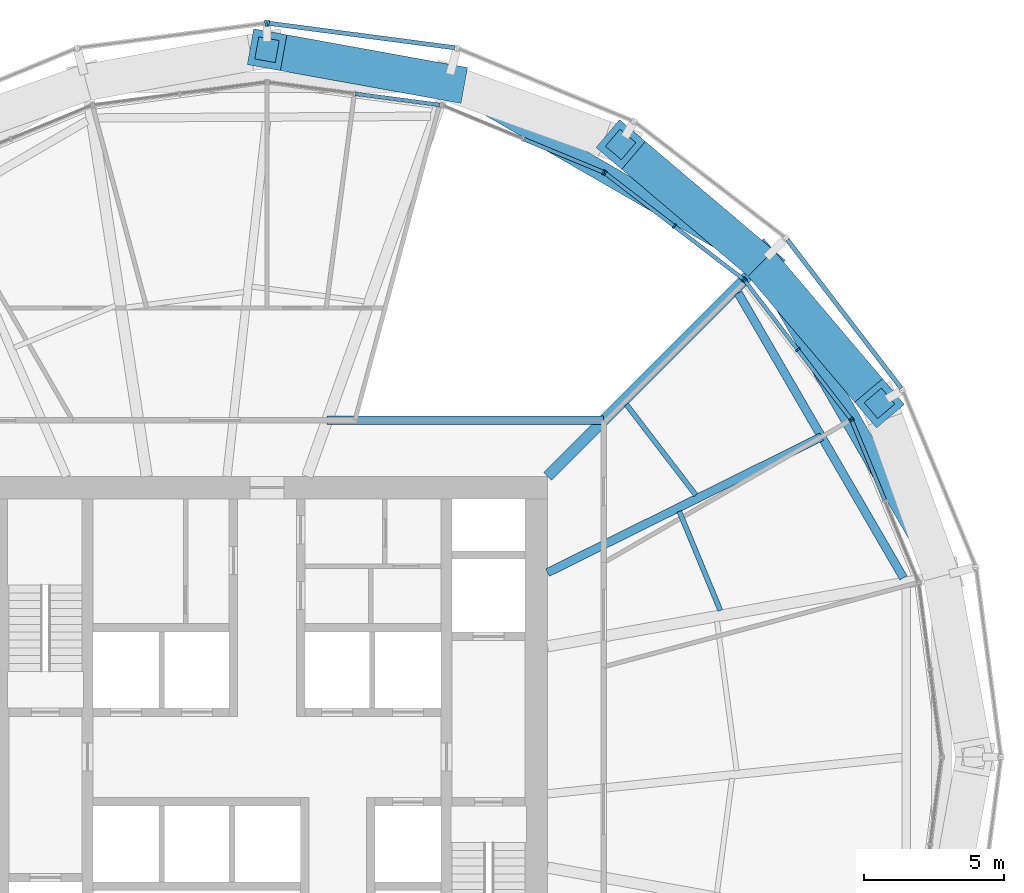
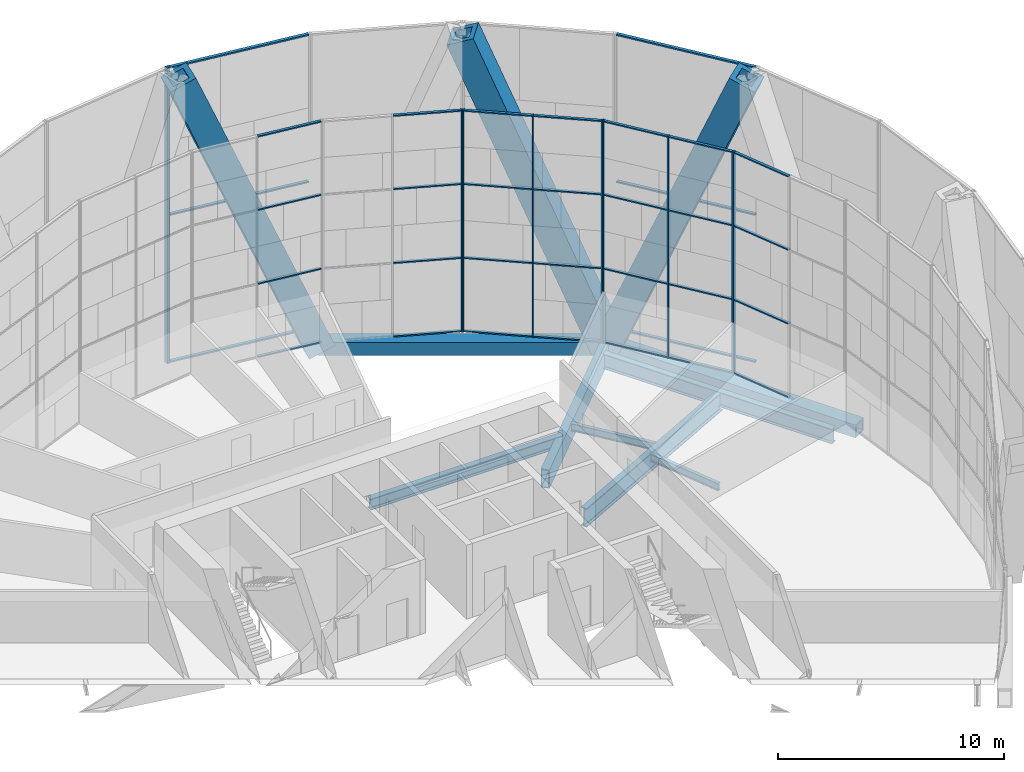
# One storey, part 9 of 26: 47 members, 8 beams, 8 elements without a shape of their own.
"""IFC4 building model written with IfcOpenShell, lengths in metres."""

from ifc_helpers import new_model, si_unit, direction, frame, origin, origin_2d, place, context, subcontext, project, spatial, rectangle, hollow_rectangle, i_section, extrude, material, material_profile, profile_set, type_object, element, aggregate, save


model = new_model("IFC4")

# Units and contexts
model_context = context("Model", 3, precision=1e-05, world=origin(), true_north=direction((0.0, 1.0)))
body_context = subcontext(model_context, "Body", "Model", "MODEL_VIEW")
ifc_project = project(units=[si_unit("LENGTHUNIT", "METRE"), si_unit("AREAUNIT", "SQUARE_METRE"), si_unit("VOLUMEUNIT", "CUBIC_METRE"), si_unit("PLANEANGLEUNIT", "RADIAN"), si_unit("MASSUNIT", "GRAM", prefix="KILO")], contexts=[model_context])

# Site, building, storey
site_placement = place(None, origin())
site = spatial("IfcSite", under=ifc_project, at=site_placement, CompositionType="ELEMENT")
building_placement = place(site_placement, origin())
building = spatial("IfcBuilding", under=site, at=building_placement, Name="Golbaran Civic Tower", CompositionType="ELEMENT")
storey_placement = place(building_placement, frame((0.0, 0.0, 69.0)))
storey = spatial("IfcBuildingStorey", under=building, at=storey_placement, Name="L16", CompositionType="ELEMENT", Elevation=69.0)

# Members
ifc_material_1 = material(Name="Steel S355", Category="steel")
ifc_material_profile_1 = material_profile(ifc_material_1, hollow_rectangle(XDim=1.300048828125, YDim=1.300048828125, WallThickness=0.25, at=origin_2d()), Name="BOX 1300x1300x250")
ifc_profile_set_1 = profile_set([ifc_material_profile_1], Name="Steel S355")
member_type_1 = type_object("IfcMemberType", Name="DIAGRID DIAGONAL BOX 1300x1300x250", PredefinedType="BRACE", material=ifc_profile_set_1)
for number, where, z_axis, x_axis, name in (
    (1, (17.6005859375, 17.6005859375, -0.7099609375), (-0.288939520875, 0.244835995768, 0.925510285439), (-0.646478657143, -0.762932071589, 0.0), "Diagonal D03-01R L16-L20"),
    (2, (17.6005859375, 17.6005859375, -0.7099609375), (0.244835995768, -0.288939520875, 0.925510285439), (0.762932071589, 0.646478657143, 0.0), "Diagonal D03-01L L16-L20"),
    (3, (6.4423828125, 24.04296875, -0.7099609375), (-0.372654606272, 0.067560240882, 0.925507513895), (-0.178386648531, -0.983960468528, 0.0), "Diagonal D03-02R L16-L20"),
):
    element("IfcMember", number, at=place(storey_placement, frame(where, z_axis=z_axis, x_axis=x_axis)), inside=storey, type_object=member_type_1, Name=name, PredefinedType="BRACE", context=body_context, shape_type="SweptSolid", body=[
        extrude(hollow_rectangle(XDim=1.300048828125, YDim=1.300048828125, WallThickness=0.25, at=origin_2d()), origin(), (0.0, 0.0, 1.0), 17.287841796875),
    ])

# Beams
ifc_material_profile_2 = material_profile(ifc_material_1, hollow_rectangle(XDim=0.699951171875, YDim=0.699951171875, WallThickness=0.080078125, at=origin_2d()), Name="BOX 700x700x80")
ifc_profile_set_2 = profile_set([ifc_material_profile_2], Name="Steel S355")
beam_type_1 = type_object("IfcBeamType", Name="DIAGRID RING TIE BOX 700x700x80", PredefinedType="BEAM", material=ifc_profile_set_2)
for number, where, z_axis, x_axis, name in (
    (4, (24.04296875, 6.4423828125, -0.7099609375), (-0.500011131643, 0.866018976832, 0.0), (-0.866018976832, -0.500011131643, 0.0), "Ring tie 15.00 L16"),
    (5, (17.6005859375, 17.6005859375, -0.7099609375), (-0.866018976832, 0.500011131643, 0.0), (-0.500011131643, -0.866018976832, 0.0), "Ring tie 45.00 L16"),
):
    element("IfcBeam", number, at=place(storey_placement, frame(where, z_axis=z_axis, x_axis=x_axis)), inside=storey, type_object=beam_type_1, Name=name, PredefinedType="BEAM", context=body_context, shape_type="SweptSolid", body=[
        extrude(hollow_rectangle(XDim=0.699951171875, YDim=0.699951171875, WallThickness=0.080078125, at=origin_2d()), origin(), (0.0, 0.0, 1.0), 12.884521484375),
    ])
ifc_material_profile_3 = material_profile(ifc_material_1, i_section(OverallWidth=0.300048828125, OverallDepth=0.800048828125, WebThickness=0.017578125, FlangeThickness=0.032958984375, FilletRadius=0.030029296875, at=origin_2d()), Name="HEB 800")
ifc_profile_set_3 = profile_set([ifc_material_profile_3], Name="Steel S355")
beam_type_2 = type_object("IfcBeamType", Name="EDGE BEAM HEB 800", PredefinedType="BEAM", material=ifc_profile_set_3)
beam_1_placement = place(storey_placement, frame((22.687744140625, 6.3837890625, -0.60009765625), z_axis=(-0.50199656433, 0.864869614104, 0.0), x_axis=(-0.864869614104, -0.50199656433, 0.0)))
element("IfcBeam", 6, at=beam_1_placement, inside=storey, type_object=beam_type_2, Name="Edge beam 15.00 L16", PredefinedType="BEAM", context=body_context, shape_type="SweptSolid", body=[
    extrude(i_section(OverallWidth=0.300048828125, OverallDepth=0.800048828125, WebThickness=0.017578125, FlangeThickness=0.032958984375, FilletRadius=0.030029296875, at=origin_2d()), origin(), (0.0, 0.0, 1.0), 11.74169921875),
])
ifc_material_profile_4 = material_profile(ifc_material_1, i_section(OverallWidth=0.179931640625, OverallDepth=0.39990234375, WebThickness=0.008544921875, FlangeThickness=0.013427734375, FilletRadius=0.02099609375, at=origin_2d()), Name="IPE 400")
ifc_profile_set_4 = profile_set([ifc_material_profile_4], Name="Steel S355")
beam_type_3 = type_object("IfcBeamType", Name="FLOOR INFILL BEAM IPE 400", PredefinedType="BEAM", material=ifc_profile_set_4)
beam_2_placement = place(storey_placement, frame((16.158935546875, 5.221923828125, -0.39990234375), z_axis=(-0.382660123613, 0.923889186968, 0.0), x_axis=(-0.923889186968, -0.382660123613, 0.0)))
element("IfcBeam", 7, at=beam_2_placement, inside=storey, type_object=beam_type_3, Name="Infill beam 22.50 L16", PredefinedType="BEAM", context=body_context, shape_type="SweptSolid", body=[
    extrude(i_section(OverallWidth=0.179931640625, OverallDepth=0.39990234375, WebThickness=0.008544921875, FlangeThickness=0.013427734375, FilletRadius=0.02099609375, at=origin_2d()), origin(), (0.0, 0.0, 1.0), 3.822998046875),
])
beam_3_placement = place(storey_placement, frame((15.28564453125, 9.33642578125, -0.39990234375), z_axis=(-0.608754558613, 0.793358612084, 0.0), x_axis=(-0.793358612084, -0.608754558613, 0.0)))
element("IfcBeam", 8, at=beam_3_placement, inside=storey, type_object=beam_type_3, Name="Infill beam 37.50 L16", PredefinedType="BEAM", context=body_context, shape_type="SweptSolid", body=[
    extrude(i_section(OverallWidth=0.179931640625, OverallDepth=0.39990234375, WebThickness=0.008544921875, FlangeThickness=0.013427734375, FilletRadius=0.02099609375, at=origin_2d()), origin(), (0.0, 0.0, 1.0), 4.0615234375),
])
ifc_material_profile_5 = material_profile(ifc_material_1, i_section(OverallWidth=0.300048828125, OverallDepth=0.60009765625, WebThickness=0.015380859375, FlangeThickness=0.030029296875, FilletRadius=0.027099609375, at=origin_2d()), Name="HEB 600")
ifc_profile_set_5 = profile_set([ifc_material_profile_5], Name="Steel S355")
beam_type_4 = type_object("IfcBeamType", Name="GARDEN CHORD TRIMMER HEB 600", PredefinedType="BEAM", material=ifc_profile_set_5)
beam_4_placement = place(storey_placement, frame((12.0, 12.0, -0.5), z_axis=(-1.0, 0.0, 0.0), x_axis=(0.0, -1.0, 0.0)))
element("IfcBeam", 9, at=beam_4_placement, inside=storey, type_object=beam_type_4, Name="Garden void trimmer L16", PredefinedType="BEAM", context=body_context, shape_type="SweptSolid", body=[
    extrude(i_section(OverallWidth=0.300048828125, OverallDepth=0.60009765625, WebThickness=0.015380859375, FlangeThickness=0.030029296875, FilletRadius=0.027099609375, at=origin_2d()), origin(), (0.0, 0.0, 1.0), 9.857421875),
])

# Curtain wall, member
ifc_material_2 = material(Name="Aluminium and glass", Category="aluminium")
curtain_wall_type_1 = type_object("IfcCurtainWallType", Name="INNER SKIN CURTAIN WALL", PredefinedType="NOTDEFINED", material=ifc_material_2)
curtain_wall_1_placement = place(storey_placement, origin())
curtain_wall_1 = element("IfcCurtainWall", 10, at=curtain_wall_1_placement, inside=storey, type_object=curtain_wall_type_1, Name="Inner skin L16 facet 2 CW1", ObjectType="INNER SKIN", PredefinedType="USERDEFINED")
ifc_material_3 = material(Name="Aluminium", Category="aluminium")
ifc_material_profile_6 = material_profile(ifc_material_3, rectangle(XDim=0.179931640625, YDim=0.06494140625, at=origin_2d()), Name="INNER SKIN CURTAIN WALL MULLION")
ifc_profile_set_6 = profile_set([ifc_material_profile_6], Name="Aluminium")
member_type_2 = type_object("IfcMemberType", Name="INNER SKIN CURTAIN WALL MULLION", PredefinedType="MULLION", material=ifc_profile_set_6)
member_1_placement = place(storey_placement, frame((20.843017578125, 11.99658203125, 0.0), z_axis=(0.0, 0.0, 1.0), x_axis=(-0.923879532478, -0.382683432446, 0.0)))
member_1 = element("IfcMember", 11, at=member_1_placement, type_object=member_type_2, Name="CW1 mullion 3", PredefinedType="MULLION", context=body_context, shape_type="SweptSolid", body=[
    extrude(rectangle(XDim=0.179931640625, YDim=0.06494140625, at=origin_2d()), origin(), (0.0, 0.0, 1.0), 12.0),
])

# Curtain wall, members
curtain_wall_2_placement = place(storey_placement, origin())
curtain_wall_2 = element("IfcCurtainWall", 12, at=curtain_wall_2_placement, inside=storey, type_object=curtain_wall_type_1, Name="Inner skin L16 facet 3 CW1", ObjectType="INNER SKIN", PredefinedType="USERDEFINED")
member_2_placement = place(storey_placement, frame((20.810791015625, 12.05224609375, 0.0), z_axis=(0.0, 0.0, 1.0), x_axis=(-0.793353340323, -0.608761428967, 0.0)))
member_2 = element("IfcMember", 13, at=member_2_placement, type_object=member_type_2, Name="CW1 mullion 1", PredefinedType="MULLION", context=body_context, shape_type="SweptSolid", body=[
    extrude(rectangle(XDim=0.179931640625, YDim=0.06494140625, at=origin_2d()), origin(), (0.0, 0.0, 1.0), 12.0),
])
member_3_placement = place(storey_placement, frame((18.919189453125, 14.517333984375, 0.0), z_axis=(0.0, 0.0, 1.0), x_axis=(-0.793353340323, -0.608761428967, 0.0)))
member_3 = element("IfcMember", 14, at=member_3_placement, type_object=member_type_2, Name="CW1 mullion 2", PredefinedType="MULLION", context=body_context, shape_type="SweptSolid", body=[
    extrude(rectangle(XDim=0.179931640625, YDim=0.06494140625, at=origin_2d()), origin(), (0.0, 0.0, 1.0), 12.0),
])
member_4_placement = place(storey_placement, frame((17.02783203125, 16.982177734375, 0.0), z_axis=(0.0, 0.0, 1.0), x_axis=(-0.793353340323, -0.608761428967, 0.0)))
member_4 = element("IfcMember", 15, at=member_4_placement, type_object=member_type_2, Name="CW1 mullion 3", PredefinedType="MULLION", context=body_context, shape_type="SweptSolid", body=[
    extrude(rectangle(XDim=0.179931640625, YDim=0.06494140625, at=origin_2d()), origin(), (0.0, 0.0, 1.0), 12.0),
])

curtain_wall_3_placement = place(storey_placement, origin())
curtain_wall_3 = element("IfcCurtainWall", 16, at=curtain_wall_3_placement, inside=storey, type_object=curtain_wall_type_1, Name="Inner skin L16 facet 4 CW1", ObjectType="INNER SKIN", PredefinedType="USERDEFINED")
member_5_placement = place(storey_placement, frame((16.982177734375, 17.02783203125, 0.0), z_axis=(0.0, 0.0, 1.0), x_axis=(-0.608761428967, -0.793353340323, 0.0)))
member_5 = element("IfcMember", 17, at=member_5_placement, type_object=member_type_2, Name="CW1 mullion 1", PredefinedType="MULLION", context=body_context, shape_type="SweptSolid", body=[
    extrude(rectangle(XDim=0.179931640625, YDim=0.06494140625, at=origin_2d()), origin(), (0.0, 0.0, 1.0), 12.0),
])
member_6_placement = place(storey_placement, frame((14.517333984375, 18.919189453125, 0.0), z_axis=(0.0, 0.0, 1.0), x_axis=(-0.608761428967, -0.793353340323, 0.0)))
member_6 = element("IfcMember", 18, at=member_6_placement, type_object=member_type_2, Name="CW1 mullion 2", PredefinedType="MULLION", context=body_context, shape_type="SweptSolid", body=[
    extrude(rectangle(XDim=0.179931640625, YDim=0.06494140625, at=origin_2d()), origin(), (0.0, 0.0, 1.0), 12.0),
])
member_7_placement = place(storey_placement, frame((12.05224609375, 20.810791015625, 0.0), z_axis=(0.0, 0.0, 1.0), x_axis=(-0.608761428967, -0.793353340323, 0.0)))
member_7 = element("IfcMember", 19, at=member_7_placement, type_object=member_type_2, Name="CW1 mullion 3", PredefinedType="MULLION", context=body_context, shape_type="SweptSolid", body=[
    extrude(rectangle(XDim=0.179931640625, YDim=0.06494140625, at=origin_2d()), origin(), (0.0, 0.0, 1.0), 12.0),
])

# Curtain wall, member
curtain_wall_4_placement = place(storey_placement, origin())
curtain_wall_4 = element("IfcCurtainWall", 20, at=curtain_wall_4_placement, inside=storey, type_object=curtain_wall_type_1, Name="Inner skin L16 facet 5 CW1", ObjectType="INNER SKIN", PredefinedType="USERDEFINED")
member_8_placement = place(storey_placement, frame((11.99658203125, 20.843017578125, 0.0), z_axis=(0.0, 0.0, 1.0), x_axis=(-0.382683432446, -0.923879532478, 0.0)))
member_8 = element("IfcMember", 21, at=member_8_placement, type_object=member_type_2, Name="CW1 mullion 1", PredefinedType="MULLION", context=body_context, shape_type="SweptSolid", body=[
    extrude(rectangle(XDim=0.179931640625, YDim=0.06494140625, at=origin_2d()), origin(), (0.0, 0.0, 1.0), 12.0),
])

# Member
ifc_material_profile_7 = material_profile(ifc_material_3, rectangle(XDim=0.139892578125, YDim=0.06494140625, at=origin_2d()), Name="INNER SKIN CURTAIN WALL TRANSOM")
ifc_profile_set_7 = profile_set([ifc_material_profile_7], Name="Aluminium")
member_type_3 = type_object("IfcMemberType", Name="INNER SKIN CURTAIN WALL TRANSOM", PredefinedType="USERDEFINED", material=ifc_profile_set_7)
member_9_placement = place(storey_placement, frame((22.01953125, 9.156005859375, 0.032470703125), z_axis=(-0.382654214168, 0.923891634543, 0.0), x_axis=(-0.923891634543, -0.382654214168, 0.0)))
member_9 = element("IfcMember", 22, at=member_9_placement, type_object=member_type_3, Name="CW1 transom 2.1", ObjectType="TRANSOM", PredefinedType="USERDEFINED", context=body_context, shape_type="SweptSolid", body=[
    extrude(rectangle(XDim=0.139892578125, YDim=0.06494140625, at=origin_2d()), origin(), (0.0, 0.0, 1.0), 3.0419921875),
])

member_10_placement = place(storey_placement, frame((22.01953125, 9.156005859375, 4.0), z_axis=(-0.382654214168, 0.923891634543, 0.0), x_axis=(-0.923891634543, -0.382654214168, 0.0)))
member_10 = element("IfcMember", 23, at=member_10_placement, type_object=member_type_3, Name="CW1 transom 2.2", ObjectType="TRANSOM", PredefinedType="USERDEFINED", context=body_context, shape_type="SweptSolid", body=[
    extrude(rectangle(XDim=0.139892578125, YDim=0.06494140625, at=origin_2d()), origin(), (0.0, 0.0, 1.0), 3.0419921875),
])

member_11_placement = place(storey_placement, frame((22.01953125, 9.156005859375, 8.0), z_axis=(-0.382654214168, 0.923891634543, 0.0), x_axis=(-0.923891634543, -0.382654214168, 0.0)))
member_11 = element("IfcMember", 24, at=member_11_placement, type_object=member_type_3, Name="CW1 transom 2.3", ObjectType="TRANSOM", PredefinedType="USERDEFINED", context=body_context, shape_type="SweptSolid", body=[
    extrude(rectangle(XDim=0.139892578125, YDim=0.06494140625, at=origin_2d()), origin(), (0.0, 0.0, 1.0), 3.0419921875),
])

member_12_placement = place(storey_placement, frame((22.01953125, 9.156005859375, 11.967529296875), z_axis=(-0.382654214168, 0.923891634543, 0.0), x_axis=(-0.923891634543, -0.382654214168, 0.0)))
member_12 = element("IfcMember", 25, at=member_12_placement, type_object=member_type_3, Name="CW1 transom 2.4", ObjectType="TRANSOM", PredefinedType="USERDEFINED", context=body_context, shape_type="SweptSolid", body=[
    extrude(rectangle(XDim=0.139892578125, YDim=0.06494140625, at=origin_2d()), origin(), (0.0, 0.0, 1.0), 3.0419921875),
])

aggregate(curtain_wall_1, [member_1, member_9, member_10, member_11, member_12])

member_13_placement = place(storey_placement, frame((20.791015625, 12.078125, 0.032470703125), z_axis=(-0.608810562982, 0.79331563605, 0.0), x_axis=(-0.79331563605, -0.608810562982, 0.0)))
member_13 = element("IfcMember", 26, at=member_13_placement, type_object=member_type_3, Name="CW1 transom 1.1", ObjectType="TRANSOM", PredefinedType="USERDEFINED", context=body_context, shape_type="SweptSolid", body=[
    extrude(rectangle(XDim=0.139892578125, YDim=0.06494140625, at=origin_2d()), origin(), (0.0, 0.0, 1.0), 3.0419921875),
])

member_14_placement = place(storey_placement, frame((20.791015625, 12.078125, 4.0), z_axis=(-0.608810562982, 0.79331563605, 0.0), x_axis=(-0.79331563605, -0.608810562982, 0.0)))
member_14 = element("IfcMember", 27, at=member_14_placement, type_object=member_type_3, Name="CW1 transom 1.2", ObjectType="TRANSOM", PredefinedType="USERDEFINED", context=body_context, shape_type="SweptSolid", body=[
    extrude(rectangle(XDim=0.139892578125, YDim=0.06494140625, at=origin_2d()), origin(), (0.0, 0.0, 1.0), 3.0419921875),
])

member_15_placement = place(storey_placement, frame((20.791015625, 12.078125, 8.0), z_axis=(-0.608810562982, 0.79331563605, 0.0), x_axis=(-0.79331563605, -0.608810562982, 0.0)))
member_15 = element("IfcMember", 28, at=member_15_placement, type_object=member_type_3, Name="CW1 transom 1.3", ObjectType="TRANSOM", PredefinedType="USERDEFINED", context=body_context, shape_type="SweptSolid", body=[
    extrude(rectangle(XDim=0.139892578125, YDim=0.06494140625, at=origin_2d()), origin(), (0.0, 0.0, 1.0), 3.0419921875),
])

member_16_placement = place(storey_placement, frame((20.791015625, 12.078125, 11.967529296875), z_axis=(-0.608810562982, 0.79331563605, 0.0), x_axis=(-0.79331563605, -0.608810562982, 0.0)))
member_16 = element("IfcMember", 29, at=member_16_placement, type_object=member_type_3, Name="CW1 transom 1.4", ObjectType="TRANSOM", PredefinedType="USERDEFINED", context=body_context, shape_type="SweptSolid", body=[
    extrude(rectangle(XDim=0.139892578125, YDim=0.06494140625, at=origin_2d()), origin(), (0.0, 0.0, 1.0), 3.0419921875),
])

member_17_placement = place(storey_placement, frame((18.8994140625, 14.54296875, 0.032470703125), z_axis=(-0.608721291082, 0.793384137592, 0.0), x_axis=(-0.793384137592, -0.608721291082, 0.0)))
member_17 = element("IfcMember", 30, at=member_17_placement, type_object=member_type_3, Name="CW1 transom 2.1", ObjectType="TRANSOM", PredefinedType="USERDEFINED", context=body_context, shape_type="SweptSolid", body=[
    extrude(rectangle(XDim=0.139892578125, YDim=0.06494140625, at=origin_2d()), origin(), (0.0, 0.0, 1.0), 3.042236328125),
])

member_18_placement = place(storey_placement, frame((18.8994140625, 14.54296875, 4.0), z_axis=(-0.608721291082, 0.793384137592, 0.0), x_axis=(-0.793384137592, -0.608721291082, 0.0)))
member_18 = element("IfcMember", 31, at=member_18_placement, type_object=member_type_3, Name="CW1 transom 2.2", ObjectType="TRANSOM", PredefinedType="USERDEFINED", context=body_context, shape_type="SweptSolid", body=[
    extrude(rectangle(XDim=0.139892578125, YDim=0.06494140625, at=origin_2d()), origin(), (0.0, 0.0, 1.0), 3.042236328125),
])

member_19_placement = place(storey_placement, frame((18.8994140625, 14.54296875, 8.0), z_axis=(-0.608721291082, 0.793384137592, 0.0), x_axis=(-0.793384137592, -0.608721291082, 0.0)))
member_19 = element("IfcMember", 32, at=member_19_placement, type_object=member_type_3, Name="CW1 transom 2.3", ObjectType="TRANSOM", PredefinedType="USERDEFINED", context=body_context, shape_type="SweptSolid", body=[
    extrude(rectangle(XDim=0.139892578125, YDim=0.06494140625, at=origin_2d()), origin(), (0.0, 0.0, 1.0), 3.042236328125),
])

member_20_placement = place(storey_placement, frame((18.8994140625, 14.54296875, 11.967529296875), z_axis=(-0.608721291082, 0.793384137592, 0.0), x_axis=(-0.793384137592, -0.608721291082, 0.0)))
member_20 = element("IfcMember", 33, at=member_20_placement, type_object=member_type_3, Name="CW1 transom 2.4", ObjectType="TRANSOM", PredefinedType="USERDEFINED", context=body_context, shape_type="SweptSolid", body=[
    extrude(rectangle(XDim=0.139892578125, YDim=0.06494140625, at=origin_2d()), origin(), (0.0, 0.0, 1.0), 3.042236328125),
])

aggregate(curtain_wall_2, [member_2, member_3, member_4, member_13, member_14, member_15, member_16, member_17, member_18, member_19, member_20])

member_21_placement = place(storey_placement, frame((16.95654296875, 17.047607421875, 0.032470703125), z_axis=(-0.793384137592, 0.608721291082, 0.0), x_axis=(-0.608721291082, -0.793384137592, 0.0)))
member_21 = element("IfcMember", 34, at=member_21_placement, type_object=member_type_3, Name="CW1 transom 1.1", ObjectType="TRANSOM", PredefinedType="USERDEFINED", context=body_context, shape_type="SweptSolid", body=[
    extrude(rectangle(XDim=0.139892578125, YDim=0.06494140625, at=origin_2d()), origin(), (0.0, 0.0, 1.0), 3.042236328125),
])

member_22_placement = place(storey_placement, frame((16.95654296875, 17.047607421875, 4.0), z_axis=(-0.793384137592, 0.608721291082, 0.0), x_axis=(-0.608721291082, -0.793384137592, 0.0)))
member_22 = element("IfcMember", 35, at=member_22_placement, type_object=member_type_3, Name="CW1 transom 1.2", ObjectType="TRANSOM", PredefinedType="USERDEFINED", context=body_context, shape_type="SweptSolid", body=[
    extrude(rectangle(XDim=0.139892578125, YDim=0.06494140625, at=origin_2d()), origin(), (0.0, 0.0, 1.0), 3.042236328125),
])

member_23_placement = place(storey_placement, frame((16.95654296875, 17.047607421875, 8.0), z_axis=(-0.793384137592, 0.608721291082, 0.0), x_axis=(-0.608721291082, -0.793384137592, 0.0)))
member_23 = element("IfcMember", 36, at=member_23_placement, type_object=member_type_3, Name="CW1 transom 1.3", ObjectType="TRANSOM", PredefinedType="USERDEFINED", context=body_context, shape_type="SweptSolid", body=[
    extrude(rectangle(XDim=0.139892578125, YDim=0.06494140625, at=origin_2d()), origin(), (0.0, 0.0, 1.0), 3.042236328125),
])

member_24_placement = place(storey_placement, frame((16.95654296875, 17.047607421875, 11.967529296875), z_axis=(-0.793384137592, 0.608721291082, 0.0), x_axis=(-0.608721291082, -0.793384137592, 0.0)))
member_24 = element("IfcMember", 37, at=member_24_placement, type_object=member_type_3, Name="CW1 transom 1.4", ObjectType="TRANSOM", PredefinedType="USERDEFINED", context=body_context, shape_type="SweptSolid", body=[
    extrude(rectangle(XDim=0.139892578125, YDim=0.06494140625, at=origin_2d()), origin(), (0.0, 0.0, 1.0), 3.042236328125),
])

member_25_placement = place(storey_placement, frame((14.491455078125, 18.93896484375, 0.032470703125), z_axis=(-0.79331563605, 0.608810562982, 0.0), x_axis=(-0.608810562982, -0.79331563605, 0.0)))
member_25 = element("IfcMember", 38, at=member_25_placement, type_object=member_type_3, Name="CW1 transom 2.1", ObjectType="TRANSOM", PredefinedType="USERDEFINED", context=body_context, shape_type="SweptSolid", body=[
    extrude(rectangle(XDim=0.139892578125, YDim=0.06494140625, at=origin_2d()), origin(), (0.0, 0.0, 1.0), 3.0419921875),
])

member_26_placement = place(storey_placement, frame((14.491455078125, 18.93896484375, 4.0), z_axis=(-0.79331563605, 0.608810562982, 0.0), x_axis=(-0.608810562982, -0.79331563605, 0.0)))
member_26 = element("IfcMember", 39, at=member_26_placement, type_object=member_type_3, Name="CW1 transom 2.2", ObjectType="TRANSOM", PredefinedType="USERDEFINED", context=body_context, shape_type="SweptSolid", body=[
    extrude(rectangle(XDim=0.139892578125, YDim=0.06494140625, at=origin_2d()), origin(), (0.0, 0.0, 1.0), 3.0419921875),
])

member_27_placement = place(storey_placement, frame((14.491455078125, 18.93896484375, 8.0), z_axis=(-0.79331563605, 0.608810562982, 0.0), x_axis=(-0.608810562982, -0.79331563605, 0.0)))
member_27 = element("IfcMember", 40, at=member_27_placement, type_object=member_type_3, Name="CW1 transom 2.3", ObjectType="TRANSOM", PredefinedType="USERDEFINED", context=body_context, shape_type="SweptSolid", body=[
    extrude(rectangle(XDim=0.139892578125, YDim=0.06494140625, at=origin_2d()), origin(), (0.0, 0.0, 1.0), 3.0419921875),
])

member_28_placement = place(storey_placement, frame((14.491455078125, 18.93896484375, 11.967529296875), z_axis=(-0.79331563605, 0.608810562982, 0.0), x_axis=(-0.608810562982, -0.79331563605, 0.0)))
member_28 = element("IfcMember", 41, at=member_28_placement, type_object=member_type_3, Name="CW1 transom 2.4", ObjectType="TRANSOM", PredefinedType="USERDEFINED", context=body_context, shape_type="SweptSolid", body=[
    extrude(rectangle(XDim=0.139892578125, YDim=0.06494140625, at=origin_2d()), origin(), (0.0, 0.0, 1.0), 3.0419921875),
])

aggregate(curtain_wall_3, [member_5, member_6, member_7, member_21, member_22, member_23, member_24, member_25, member_26, member_27, member_28])

member_29_placement = place(storey_placement, frame((11.966552734375, 20.85546875, 0.032470703125), z_axis=(-0.923891634543, 0.382654214168, 0.0), x_axis=(-0.382654214168, -0.923891634543, 0.0)))
member_29 = element("IfcMember", 42, at=member_29_placement, type_object=member_type_3, Name="CW1 transom 1.1", ObjectType="TRANSOM", PredefinedType="USERDEFINED", context=body_context, shape_type="SweptSolid", body=[
    extrude(rectangle(XDim=0.139892578125, YDim=0.06494140625, at=origin_2d()), origin(), (0.0, 0.0, 1.0), 3.0419921875),
])

member_30_placement = place(storey_placement, frame((11.966552734375, 20.85546875, 4.0), z_axis=(-0.923891634543, 0.382654214168, 0.0), x_axis=(-0.382654214168, -0.923891634543, 0.0)))
member_30 = element("IfcMember", 43, at=member_30_placement, type_object=member_type_3, Name="CW1 transom 1.2", ObjectType="TRANSOM", PredefinedType="USERDEFINED", context=body_context, shape_type="SweptSolid", body=[
    extrude(rectangle(XDim=0.139892578125, YDim=0.06494140625, at=origin_2d()), origin(), (0.0, 0.0, 1.0), 3.0419921875),
])

member_31_placement = place(storey_placement, frame((11.966552734375, 20.85546875, 8.0), z_axis=(-0.923891634543, 0.382654214168, 0.0), x_axis=(-0.382654214168, -0.923891634543, 0.0)))
member_31 = element("IfcMember", 44, at=member_31_placement, type_object=member_type_3, Name="CW1 transom 1.3", ObjectType="TRANSOM", PredefinedType="USERDEFINED", context=body_context, shape_type="SweptSolid", body=[
    extrude(rectangle(XDim=0.139892578125, YDim=0.06494140625, at=origin_2d()), origin(), (0.0, 0.0, 1.0), 3.0419921875),
])

member_32_placement = place(storey_placement, frame((11.966552734375, 20.85546875, 11.967529296875), z_axis=(-0.923891634543, 0.382654214168, 0.0), x_axis=(-0.382654214168, -0.923891634543, 0.0)))
member_32 = element("IfcMember", 45, at=member_32_placement, type_object=member_type_3, Name="CW1 transom 1.4", ObjectType="TRANSOM", PredefinedType="USERDEFINED", context=body_context, shape_type="SweptSolid", body=[
    extrude(rectangle(XDim=0.139892578125, YDim=0.06494140625, at=origin_2d()), origin(), (0.0, 0.0, 1.0), 3.0419921875),
])

aggregate(curtain_wall_4, [member_8, member_29, member_30, member_31, member_32])

# Curtain wall, members
curtain_wall_5_placement = place(storey_placement, origin())
curtain_wall_5 = element("IfcCurtainWall", 46, at=curtain_wall_5_placement, inside=storey, type_object=curtain_wall_type_1, Name="Inner skin L16 facet 6 CW1", ObjectType="INNER SKIN", PredefinedType="USERDEFINED")
member_33_placement = place(storey_placement, frame((6.160888671875, 23.241943359375, 0.032470703125), z_axis=(-0.991448011299, 0.130502263934, 0.0), x_axis=(-0.130502263934, -0.991448011299, 0.0)))
member_33 = element("IfcMember", 47, at=member_33_placement, type_object=member_type_3, Name="CW1 transom 1.1", ObjectType="TRANSOM", PredefinedType="USERDEFINED", context=body_context, shape_type="SweptSolid", body=[
    extrude(rectangle(XDim=0.139892578125, YDim=0.06494140625, at=origin_2d()), origin(), (0.0, 0.0, 1.0), 3.0419921875),
])
member_34_placement = place(storey_placement, frame((6.160888671875, 23.241943359375, 4.0), z_axis=(-0.991448011299, 0.130502263934, 0.0), x_axis=(-0.130502263934, -0.991448011299, 0.0)))
member_34 = element("IfcMember", 48, at=member_34_placement, type_object=member_type_3, Name="CW1 transom 1.2", ObjectType="TRANSOM", PredefinedType="USERDEFINED", context=body_context, shape_type="SweptSolid", body=[
    extrude(rectangle(XDim=0.139892578125, YDim=0.06494140625, at=origin_2d()), origin(), (0.0, 0.0, 1.0), 3.0419921875),
])
member_35_placement = place(storey_placement, frame((6.160888671875, 23.241943359375, 8.0), z_axis=(-0.991448011299, 0.130502263934, 0.0), x_axis=(-0.130502263934, -0.991448011299, 0.0)))
member_35 = element("IfcMember", 49, at=member_35_placement, type_object=member_type_3, Name="CW1 transom 1.3", ObjectType="TRANSOM", PredefinedType="USERDEFINED", context=body_context, shape_type="SweptSolid", body=[
    extrude(rectangle(XDim=0.139892578125, YDim=0.06494140625, at=origin_2d()), origin(), (0.0, 0.0, 1.0), 3.0419921875),
])
member_36_placement = place(storey_placement, frame((6.160888671875, 23.241943359375, 11.967529296875), z_axis=(-0.991448011299, 0.130502263934, 0.0), x_axis=(-0.130502263934, -0.991448011299, 0.0)))
member_36 = element("IfcMember", 50, at=member_36_placement, type_object=member_type_3, Name="CW1 transom 1.4", ObjectType="TRANSOM", PredefinedType="USERDEFINED", context=body_context, shape_type="SweptSolid", body=[
    extrude(rectangle(XDim=0.139892578125, YDim=0.06494140625, at=origin_2d()), origin(), (0.0, 0.0, 1.0), 3.0419921875),
])
aggregate(curtain_wall_5, [member_33, member_34, member_35, member_36])

# Curtain wall, member
curtain_wall_type_2 = type_object("IfcCurtainWallType", Name="OUTER SKIN TERRACOTTA SCREEN", PredefinedType="NOTDEFINED", material=ifc_material_2)
curtain_wall_6_placement = place(storey_placement, origin())
curtain_wall_6 = element("IfcCurtainWall", 51, at=curtain_wall_6_placement, inside=storey, type_object=curtain_wall_type_2, Name="Outer skin L16 facet 6 CW3", ObjectType="OUTER SKIN", PredefinedType="USERDEFINED")
ifc_material_profile_8 = material_profile(ifc_material_3, rectangle(XDim=0.219970703125, YDim=0.080078125, at=origin_2d()), Name="OUTER SKIN TERRACOTTA SCREEN MULLION")
ifc_profile_set_8 = profile_set([ifc_material_profile_8], Name="Aluminium")
member_type_4 = type_object("IfcMemberType", Name="OUTER SKIN TERRACOTTA SCREEN MULLION", PredefinedType="MULLION", material=ifc_profile_set_8)
member_37_placement = place(storey_placement, frame((0.03955078125, 26.15576171875, -0.7099609375), z_axis=(0.0, 0.0, 1.0), x_axis=(-0.130526192151, -0.991444861383, 0.0)))
member_37 = element("IfcMember", 52, at=member_37_placement, type_object=member_type_4, Name="CW3 mullion 2", PredefinedType="MULLION", context=body_context, shape_type="SweptSolid", body=[
    extrude(rectangle(XDim=0.219970703125, YDim=0.080078125, at=origin_2d()), origin(), (0.0, 0.0, 1.0), 16.0),
])

curtain_wall_7_placement = place(storey_placement, origin())
curtain_wall_7 = element("IfcCurtainWall", 53, at=curtain_wall_7_placement, inside=storey, type_object=curtain_wall_type_2, Name="Outer skin L16 facet 7 CW3", ObjectType="OUTER SKIN", PredefinedType="USERDEFINED")
member_38_placement = place(storey_placement, frame((-0.03955078125, 26.15576171875, -0.7099609375), z_axis=(0.0, 0.0, 1.0), x_axis=(0.130526192151, -0.991444861383, 0.0)))
member_38 = element("IfcMember", 54, at=member_38_placement, type_object=member_type_4, Name="CW3 mullion 1", PredefinedType="MULLION", context=body_context, shape_type="SweptSolid", body=[
    extrude(rectangle(XDim=0.219970703125, YDim=0.080078125, at=origin_2d()), origin(), (0.0, 0.0, 1.0), 16.0),
])
aggregate(curtain_wall_7, [member_38])

# Curtain wall, members
curtain_wall_8_placement = place(storey_placement, origin())
curtain_wall_8 = element("IfcCurtainWall", 55, at=curtain_wall_8_placement, inside=storey, type_object=curtain_wall_type_2, Name="Outer skin L16 facet 3 CW3", ObjectType="OUTER SKIN", PredefinedType="USERDEFINED")
ifc_material_profile_9 = material_profile(ifc_material_3, rectangle(XDim=0.159912109375, YDim=0.080078125, at=origin_2d()), Name="OUTER SKIN TERRACOTTA SCREEN TRANSOM")
ifc_profile_set_9 = profile_set([ifc_material_profile_9], Name="Aluminium")
member_type_5 = type_object("IfcMemberType", Name="OUTER SKIN TERRACOTTA SCREEN TRANSOM", PredefinedType="USERDEFINED", material=ifc_profile_set_9)
member_39_placement = place(storey_placement, frame((22.607421875, 13.14404296875, -0.669921875), z_axis=(-0.608772707765, 0.79334468567, 0.0), x_axis=(-0.79334468567, -0.608772707765, 0.0)))
member_39 = element("IfcMember", 56, at=member_39_placement, type_object=member_type_5, Name="CW3 transom 1.1", ObjectType="TRANSOM", PredefinedType="USERDEFINED", context=body_context, shape_type="SweptSolid", body=[
    extrude(rectangle(XDim=0.159912109375, YDim=0.080078125, at=origin_2d()), origin(), (0.0, 0.0, 1.0), 6.669189453125),
])
member_40_placement = place(storey_placement, frame((22.607421875, 13.14404296875, 7.2900390625), z_axis=(-0.608772707765, 0.79334468567, 0.0), x_axis=(-0.79334468567, -0.608772707765, 0.0)))
member_40 = element("IfcMember", 57, at=member_40_placement, type_object=member_type_5, Name="CW3 transom 1.2", ObjectType="TRANSOM", PredefinedType="USERDEFINED", context=body_context, shape_type="SweptSolid", body=[
    extrude(rectangle(XDim=0.159912109375, YDim=0.080078125, at=origin_2d()), origin(), (0.0, 0.0, 1.0), 6.669189453125),
])
member_41_placement = place(storey_placement, frame((22.607421875, 13.14404296875, 15.25), z_axis=(-0.608772707765, 0.79334468567, 0.0), x_axis=(-0.79334468567, -0.608772707765, 0.0)))
member_41 = element("IfcMember", 58, at=member_41_placement, type_object=member_type_5, Name="CW3 transom 1.3", ObjectType="TRANSOM", PredefinedType="USERDEFINED", context=body_context, shape_type="SweptSolid", body=[
    extrude(rectangle(XDim=0.159912109375, YDim=0.080078125, at=origin_2d()), origin(), (0.0, 0.0, 1.0), 6.669189453125),
])
aggregate(curtain_wall_8, [member_39, member_40, member_41])

# Member
member_42_placement = place(storey_placement, frame((6.691650390625, 25.280029296875, -0.669921875), z_axis=(-0.991443327613, 0.130537841761, 0.0), x_axis=(-0.130537841761, -0.991443327613, 0.0)))
member_42 = element("IfcMember", 59, at=member_42_placement, type_object=member_type_5, Name="CW3 transom 1.1", ObjectType="TRANSOM", PredefinedType="USERDEFINED", context=body_context, shape_type="SweptSolid", body=[
    extrude(rectangle(XDim=0.159912109375, YDim=0.080078125, at=origin_2d()), origin(), (0.0, 0.0, 1.0), 6.66943359375),
])

member_43_placement = place(storey_placement, frame((6.691650390625, 25.280029296875, 7.2900390625), z_axis=(-0.991443327613, 0.130537841761, 0.0), x_axis=(-0.130537841761, -0.991443327613, 0.0)))
member_43 = element("IfcMember", 60, at=member_43_placement, type_object=member_type_5, Name="CW3 transom 1.2", ObjectType="TRANSOM", PredefinedType="USERDEFINED", context=body_context, shape_type="SweptSolid", body=[
    extrude(rectangle(XDim=0.159912109375, YDim=0.080078125, at=origin_2d()), origin(), (0.0, 0.0, 1.0), 6.66943359375),
])

member_44_placement = place(storey_placement, frame((6.691650390625, 25.280029296875, 15.25), z_axis=(-0.991443327613, 0.130537841761, 0.0), x_axis=(-0.130537841761, -0.991443327613, 0.0)))
member_44 = element("IfcMember", 61, at=member_44_placement, type_object=member_type_5, Name="CW3 transom 1.3", ObjectType="TRANSOM", PredefinedType="USERDEFINED", context=body_context, shape_type="SweptSolid", body=[
    extrude(rectangle(XDim=0.159912109375, YDim=0.080078125, at=origin_2d()), origin(), (0.0, 0.0, 1.0), 6.66943359375),
])

aggregate(curtain_wall_6, [member_37, member_42, member_43, member_44])

# Beams
ifc_material_profile_10 = material_profile(ifc_material_1, hollow_rectangle(XDim=0.39990234375, YDim=1.0, WallThickness=0.0400390625, at=origin_2d()), Name="BOX 1000x400x40")
ifc_profile_set_10 = profile_set([ifc_material_profile_10], Name="Steel S355")
beam_type_5 = type_object("IfcBeamType", Name="RADIAL FLOOR BEAM BOX 1000x400x40", PredefinedType="BEAM", material=ifc_profile_set_10)
beam_5_placement = place(storey_placement, frame((10.0, 10.0, -0.7099609375), z_axis=(0.707106781187, 0.707106781187, 0.0), x_axis=(-0.707106781187, 0.707106781187, 0.0)))
element("IfcBeam", 62, at=beam_5_placement, inside=storey, type_object=beam_type_5, Name="Radial beam 45.00 L16", PredefinedType="BEAM", context=body_context, shape_type="SweptSolid", body=[
    extrude(hollow_rectangle(XDim=0.39990234375, YDim=1.0, WallThickness=0.0400390625, at=origin_2d()), origin(), (0.0, 0.0, 1.0), 10.085205078125),
])
ifc_material_profile_11 = material_profile(ifc_material_1, i_section(OverallWidth=0.300048828125, OverallDepth=1.0, WebThickness=0.01904296875, FlangeThickness=0.035888671875, FilletRadius=0.030029296875, at=origin_2d()), Name="HEB 1000")
ifc_profile_set_11 = profile_set([ifc_material_profile_11], Name="Steel S355")
beam_type_6 = type_object("IfcBeamType", Name="SECONDARY FLOOR BEAM HEB 1000", PredefinedType="BEAM", material=ifc_profile_set_11)
beam_6_placement = place(storey_placement, frame((10.0, 6.571533203125, -0.7099609375), z_axis=(0.895980297639, 0.444093803428, 0.0), x_axis=(-0.444093803428, 0.895980297639, 0.0)))
element("IfcBeam", 63, at=beam_6_placement, inside=storey, type_object=beam_type_6, Name="Secondary beam 30.00 L16", PredefinedType="BEAM", context=body_context, shape_type="SweptSolid", body=[
    extrude(i_section(OverallWidth=0.300048828125, OverallDepth=1.0, WebThickness=0.01904296875, FlangeThickness=0.035888671875, FilletRadius=0.030029296875, at=origin_2d()), origin(), (0.0, 0.0, 1.0), 10.902587890625),
])

save(model, "model.ifc")
